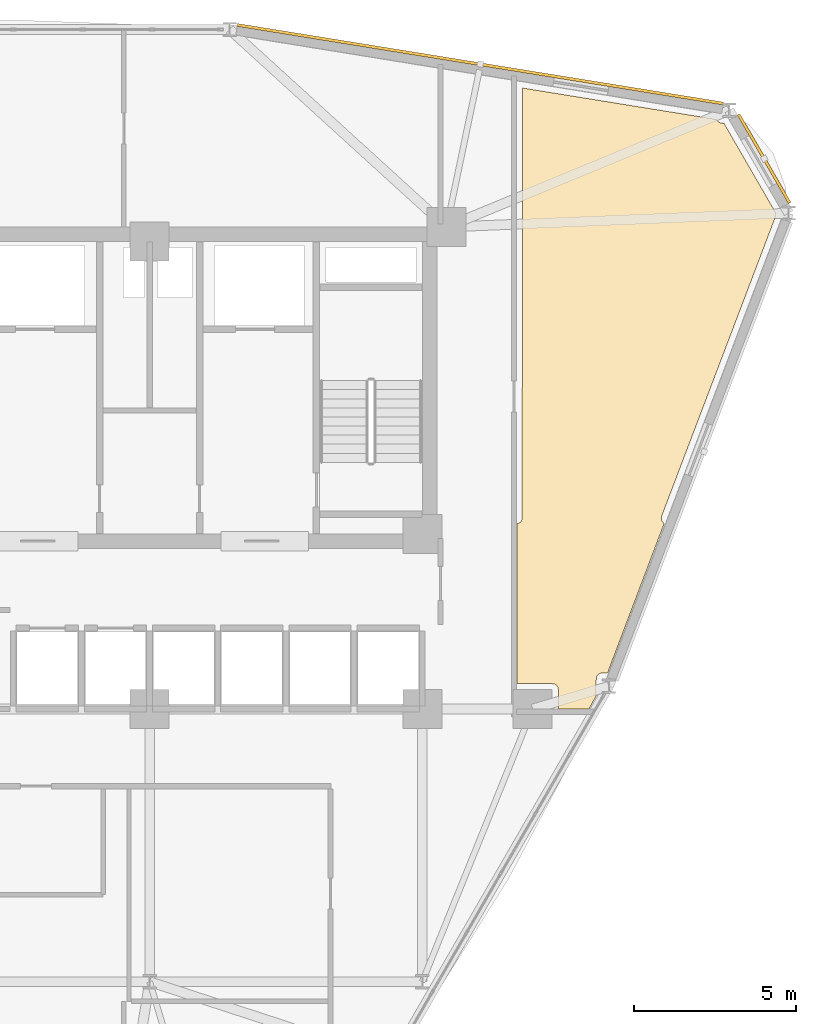
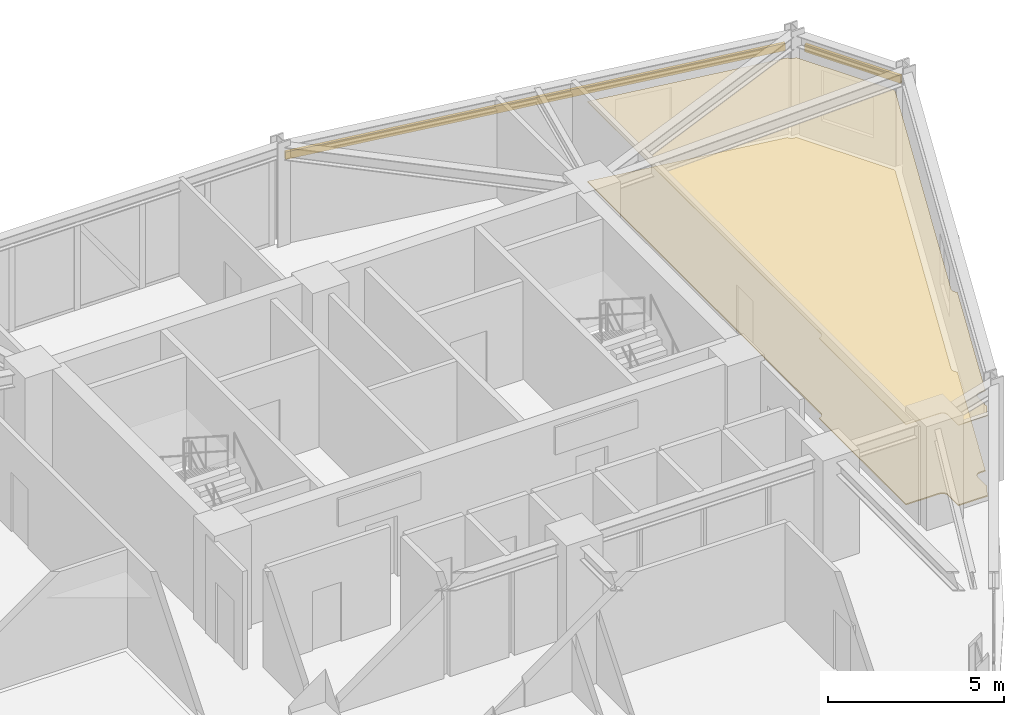
# One storey, part 18 of 18: 2 coverings, 2 shading devices.
"""IFC4 building model written with IfcOpenShell, lengths in metres."""

from ifc_helpers import new_model, si_unit, derived_unit, direction, frame, origin, origin_2d, place, context, subcontext, project, spatial, polyline, hollow_rectangle, outline, extrude, source, transform, mapped, material, layer, layer_set, material_profile, profile_set, type_object, element, save


model = new_model("IFC4")

# Units and contexts
model_context = context("Model", 3, precision=1e-05, world=origin(), true_north=direction((0.0, 1.0)))
body_context = subcontext(model_context, "Body", "Model", "MODEL_VIEW")
ifc_project = project(units=[si_unit("LENGTHUNIT", "METRE"), si_unit("AREAUNIT", "SQUARE_METRE"), si_unit("VOLUMEUNIT", "CUBIC_METRE"), si_unit("PLANEANGLEUNIT", "RADIAN"), si_unit("MASSUNIT", "GRAM", prefix="KILO"), derived_unit("THERMALTRANSMITTANCEUNIT", [(si_unit("POWERUNIT", "WATT"), 1), (si_unit("LENGTHUNIT", "METRE"), -2), (si_unit("THERMODYNAMICTEMPERATUREUNIT", "KELVIN"), -1)])], contexts=[model_context])

# Site, building, storey
site_placement = place(None, origin())
site = spatial("IfcSite", under=ifc_project, at=site_placement, CompositionType="ELEMENT")
building_placement = place(site_placement, origin())
building = spatial("IfcBuilding", under=site, at=building_placement, Name="Korsvarv Bourse and Concert Hall", CompositionType="ELEMENT")
storey_placement = place(building_placement, frame((0.0, 0.0, 139.800048828125)))
storey = spatial("IfcBuildingStorey", under=building, at=storey_placement, Name="L35", CompositionType="ELEMENT", Elevation=139.800048828125)

# Coverings
ifc_material_1 = material(Name="Perforated mineral-wool and birch acoustic baffle ceiling", Category="wood")
ifc_layer_1 = layer(ifc_material_1, 0.02490234375)
ifc_layer_set_1 = layer_set([ifc_layer_1], Name="Perforated mineral-wool and birch acoustic baffle ceiling")
covering_type_1 = type_object("IfcCoveringType", Name="COV-CEIL-1", PredefinedType="CEILING", material=ifc_layer_set_1)
covering_1_placement = place(storey_placement, frame((0.0, 0.0, 2.780029296875)))
element("IfcCovering", 1, at=covering_1_placement, inside=storey, type_object=covering_type_1, Name="L35 acoustic baffle ceiling 1", PredefinedType="CEILING", context=body_context, shape_type="SweptSolid", body=[
    extrude(outline(polyline([(47.320068359375, 38.111328125), (47.34521484375, 38.11572265625), (47.37939453125, 38.12841796875), (47.41015625, 38.147705078125), (47.4365234375, 38.1728515625), (47.45751953125, 38.20263671875), (47.4716796875, 38.236083984375), (47.47900390625, 38.271728515625), (47.47998046875, 51.533935546875), (53.472900390625, 50.564697265625), (53.48291015625, 50.542724609375), (53.50341796875, 50.512939453125), (53.529296875, 50.48779296875), (53.56005859375, 50.468505859375), (53.59375, 50.455810546875), (53.62939453125, 50.44970703125), (53.695556640625, 50.44580078125), (55.290283203125, 47.683837890625), (55.290283203125, 47.59326171875), (51.7744140625, 38.343505859375), (51.764892578125, 38.30810546875), (51.762939453125, 38.271728515625), (51.76806640625, 38.235595703125), (51.780517578125, 38.201416015625), (51.799560546875, 38.17041015625), (51.824462890625, 38.143798828125), (51.854248046875, 38.12255859375), (50.1083984375, 33.510009765625), (49.940185546875, 33.510009765625), (49.905517578125, 33.506591796875), (49.872314453125, 33.49658203125), (49.84130859375, 33.48046875), (49.814208984375, 33.458740234375), (49.7919921875, 33.43212890625), (49.77490234375, 33.401611328125), (49.764404296875, 33.36865234375), (49.760009765625, 33.333984375), (49.75, 32.888916015625), (49.752685546875, 32.853759765625), (49.762451171875, 32.819580078125), (49.52978515625, 32.394775390625), (49.5048828125, 32.402099609375), (49.469482421875, 32.405517578125), (48.590087890625, 32.4091796875), (48.590087890625, 33.0), (48.586669921875, 33.034912109375), (48.576416015625, 33.068603515625), (48.56005859375, 33.099609375), (48.537841796875, 33.126708984375), (48.5107421875, 33.149169921875), (48.47998046875, 33.166015625), (48.4462890625, 33.17626953125), (48.41162109375, 33.179931640625), (47.320068359375, 33.18896484375), (47.320068359375, 38.111328125)])), origin(), (0.0, 0.0, 1.0), 0.02490234375),
])
ifc_material_2 = material(Name="Calcium-sulphate raised access trading floor with Nordic oak top", Category="wood")
ifc_layer_2 = layer(ifc_material_2, 0.0400390625)
ifc_layer_set_2 = layer_set([ifc_layer_2], Name="Calcium-sulphate raised access trading floor with Nordic oak top")
covering_type_2 = type_object("IfcCoveringType", Name="COV-FLOR-1", PredefinedType="FLOORING", material=ifc_layer_set_2)
covering_2_placement = place(storey_placement, origin())
element("IfcCovering", 2, at=covering_2_placement, inside=storey, type_object=covering_type_2, Name="L35 raised access oak floor finish 1", PredefinedType="FLOORING", context=body_context, shape_type="SweptSolid", body=[
    extrude(outline(polyline([(47.320068359375, 38.111328125), (47.34521484375, 38.11572265625), (47.37939453125, 38.12841796875), (47.41015625, 38.147705078125), (47.4365234375, 38.1728515625), (47.45751953125, 38.20263671875), (47.4716796875, 38.236083984375), (47.47900390625, 38.271728515625), (47.47998046875, 51.533935546875), (53.472900390625, 50.564697265625), (53.48291015625, 50.542724609375), (53.50341796875, 50.512939453125), (53.529296875, 50.48779296875), (53.56005859375, 50.468505859375), (53.59375, 50.455810546875), (53.62939453125, 50.44970703125), (53.695556640625, 50.44580078125), (55.290283203125, 47.683837890625), (55.290283203125, 47.59326171875), (51.7744140625, 38.343505859375), (51.764892578125, 38.30810546875), (51.762939453125, 38.271728515625), (51.76806640625, 38.235595703125), (51.780517578125, 38.201416015625), (51.799560546875, 38.17041015625), (51.824462890625, 38.143798828125), (51.854248046875, 38.12255859375), (50.1083984375, 33.510009765625), (49.940185546875, 33.510009765625), (49.905517578125, 33.506591796875), (49.872314453125, 33.49658203125), (49.84130859375, 33.48046875), (49.814208984375, 33.458740234375), (49.7919921875, 33.43212890625), (49.77490234375, 33.401611328125), (49.764404296875, 33.36865234375), (49.760009765625, 33.333984375), (49.75, 32.888916015625), (49.752685546875, 32.853759765625), (49.762451171875, 32.819580078125), (49.52978515625, 32.394775390625), (49.5048828125, 32.402099609375), (49.469482421875, 32.405517578125), (48.590087890625, 32.4091796875), (48.590087890625, 33.0), (48.586669921875, 33.034912109375), (48.576416015625, 33.068603515625), (48.56005859375, 33.099609375), (48.537841796875, 33.126708984375), (48.5107421875, 33.149169921875), (48.47998046875, 33.166015625), (48.4462890625, 33.17626953125), (48.41162109375, 33.179931640625), (47.320068359375, 33.18896484375), (47.320068359375, 38.111328125)])), origin(), (0.0, 0.0, 1.0), 0.0400390625),
])

# Shading devices
ifc_material_3 = material(Name="Glazed extruded architectural terracotta", Category="ceramic")
ifc_material_profile = material_profile(ifc_material_3, hollow_rectangle(XDim=0.090087890625, YDim=0.260009765625, WallThickness=0.011962890625, at=origin_2d()), Name="TC-BAG 90x260")
ifc_profile_set = profile_set([ifc_material_profile], Name="Glazed extruded architectural terracotta")
shading_device_type = type_object("IfcShadingDeviceType", Name="SHD-BAG-1", PredefinedType="USERDEFINED", material=ifc_profile_set)
shared_shape_1 = source(origin(), body_context, "Body", "SweptSolid", [
    extrude(hollow_rectangle(XDim=0.090087890625, YDim=0.260009765625, WallThickness=0.011962890625, at=origin_2d()), origin(), (0.0, 0.0, 1.0), 3.1455078125),
])
shading_device_1_placement = place(storey_placement, frame((55.718017578125, 47.992919921875, 2.83984375), z_axis=(-0.499995674689, 0.86602790099, 0.0), x_axis=(-0.86602790099, -0.499995674689, 0.0)))
element("IfcShadingDevice", 3, at=shading_device_1_placement, inside=storey, type_object=shading_device_type, Name="L35 terracotta baguette sunshade EW-L35-B01", ObjectType="BAGUETTE", PredefinedType="USERDEFINED", context=body_context, shape_type="MappedRepresentation", body=[
    mapped(shared_shape_1, transform((0.0, 0.0, 0.0), scale=1.0)),
])
shared_shape_2 = source(origin(), body_context, "Body", "SweptSolid", [
    extrude(hollow_rectangle(XDim=0.090087890625, YDim=0.260009765625, WallThickness=0.011962890625, at=origin_2d()), origin(), (0.0, 0.0, 1.0), 15.165283203125),
])
shading_device_2_placement = place(storey_placement, frame((53.67333984375, 51.053955078125, 2.83984375), z_axis=(-0.987168443686, 0.159682384098, 0.0), x_axis=(-0.159682384098, -0.987168443686, 0.0)))
element("IfcShadingDevice", 4, at=shading_device_2_placement, inside=storey, type_object=shading_device_type, Name="L35 terracotta baguette sunshade EW-L35-B02", ObjectType="BAGUETTE", PredefinedType="USERDEFINED", context=body_context, shape_type="MappedRepresentation", body=[
    mapped(shared_shape_2, transform((0.0, 0.0, 0.0), scale=1.0)),
])

save(model, "model.ifc")
